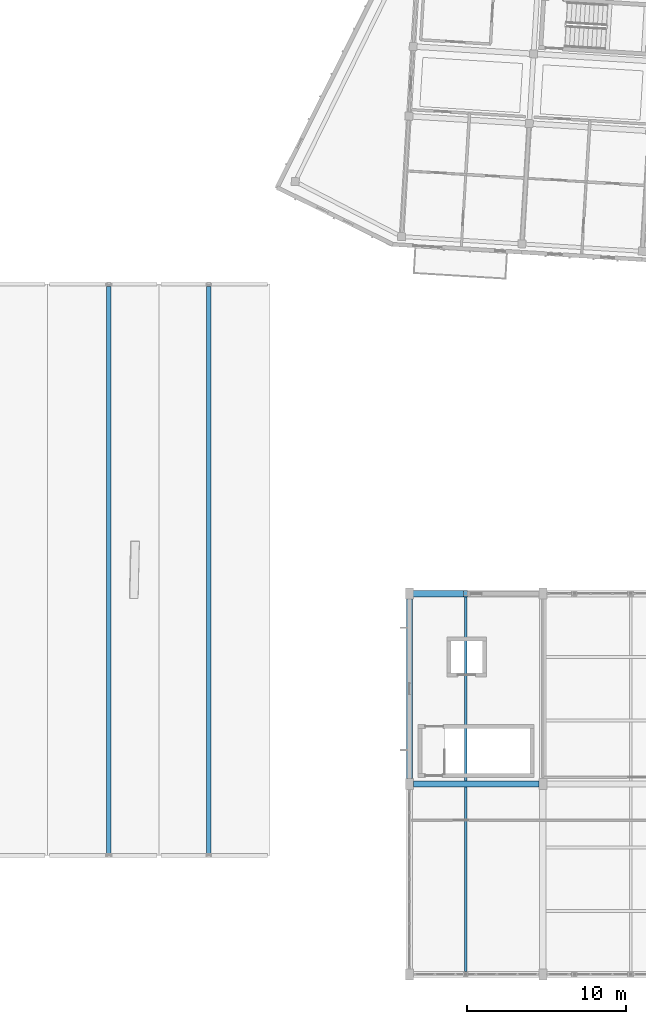
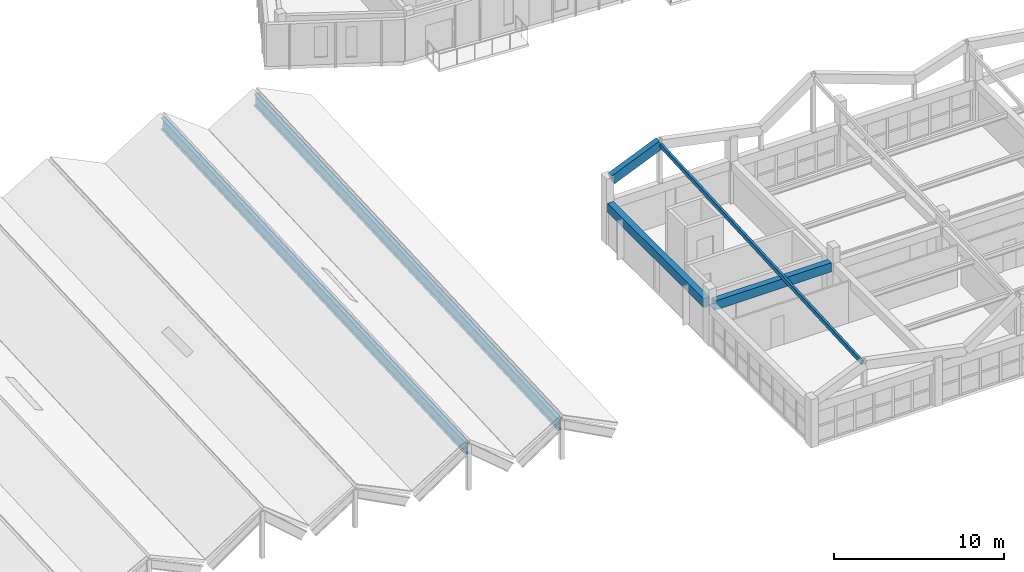
# One storey, part 10 of 127: 5 beams, 1 member.
"""IFC4 building model written with IfcOpenShell, lengths in metres."""

from ifc_helpers import new_model, si_unit, direction, frame, origin, origin_2d, place, context, subcontext, project, spatial, rectangle, hollow_rectangle, i_section, extrude, material, material_profile, profile_set, type_object, element, save


model = new_model("IFC4")

# Units and contexts
model_context = context("Model", 3, precision=1e-05, world=origin(), true_north=direction((0.0, 1.0)))
body_context = subcontext(model_context, "Body", "Model", "MODEL_VIEW")
ifc_project = project(units=[si_unit("LENGTHUNIT", "METRE"), si_unit("AREAUNIT", "SQUARE_METRE"), si_unit("VOLUMEUNIT", "CUBIC_METRE"), si_unit("PLANEANGLEUNIT", "RADIAN"), si_unit("MASSUNIT", "GRAM", prefix="KILO")], contexts=[model_context])

# Site, building, storey
site_placement = place(None, origin())
site = spatial("IfcSite", under=ifc_project, at=site_placement, CompositionType="ELEMENT")
building_placement = place(site_placement, origin())
building = spatial("IfcBuilding", under=site, at=building_placement, Name="Kestramere Prow Commons", CompositionType="ELEMENT")
storey_placement = place(building_placement, frame((0.0, 0.0, 8.39990234375)))
storey = spatial("IfcBuildingStorey", under=building, at=storey_placement, Name="L02", CompositionType="ELEMENT", Elevation=8.39990234375)

# Beams
ifc_material_1 = material(Name="Steel S355JR", Category="steel")
ifc_material_profile_1 = material_profile(ifc_material_1, i_section(OverallWidth=0.293701171875, OverallDepth=0.850830078125, WebThickness=0.01611328125, FlangeThickness=0.02685546875, FilletRadius=0.017822265625, at=origin_2d()), Name="UB 838x292x226")
ifc_profile_set_1 = profile_set([ifc_material_profile_1], Name="Steel S355JR")
beam_type_1 = type_object("IfcBeamType", Name="BM-FP-RDG UB 838x292x226", PredefinedType="BEAM", material=ifc_profile_set_1)
for number, where, z_axis, x_axis, name in (
    (1, (41.050048828125, 7.614501953125, 1.727294921875), (0.0, 0.99895112022, 0.045789293625), (-1.0, 0.0, 0.0), "Hall Folded-Plate Ridge Chord 6"),
    (2, (47.35009765625, 7.614501953125, 1.227294921875), (0.0, 0.99895112022, 0.045789293625), (-1.0, 0.0, 0.0), "Hall Folded-Plate Ridge Chord 7"),
):
    element("IfcBeam", number, at=place(storey_placement, frame(where, z_axis=z_axis, x_axis=x_axis)), inside=storey, type_object=beam_type_1, Name=name, PredefinedType="BEAM", context=body_context, shape_type="SweptSolid", body=[
        extrude(i_section(OverallWidth=0.293701171875, OverallDepth=0.850830078125, WebThickness=0.01611328125, FlangeThickness=0.02685546875, FilletRadius=0.017822265625, at=origin_2d()), origin(), (0.0, 0.0, 1.0), 35.80859375),
    ])
ifc_material_2 = material(Name="Precast concrete C40/50", Category="concrete")
ifc_material_profile_2 = material_profile(ifc_material_2, rectangle(XDim=0.39990234375, YDim=0.64990234375, at=origin_2d()), Name="PC-BM 400x650")
ifc_profile_set_2 = profile_set([ifc_material_profile_2], Name="Precast concrete C40/50")
beam_type_2 = type_object("IfcBeamType", Name="BM-MK-01 PC-BM 400x650", PredefinedType="BEAM", material=ifc_profile_set_2)
beam_1_placement = place(storey_placement, frame((60.25, 12.0, 2.675048828125), z_axis=(1.0, 0.0, 0.0), x_axis=(0.0, 1.0, 0.0)))
element("IfcBeam", 3, at=beam_1_placement, inside=storey, type_object=beam_type_2, Name="Market Spine L02 Beam X 2-1", PredefinedType="BEAM", context=body_context, shape_type="SweptSolid", body=[
    extrude(rectangle(XDim=0.39990234375, YDim=0.64990234375, at=origin_2d()), origin(), (0.0, 0.0, 1.0), 7.89990234375),
])
ifc_material_profile_3 = material_profile(ifc_material_2, rectangle(XDim=0.39990234375, YDim=0.64990234375, at=origin_2d()), Name="PC-BM 400x650")
ifc_profile_set_3 = profile_set([ifc_material_profile_3], Name="Precast concrete C40/50")
beam_type_3 = type_object("IfcBeamType", Name="BM-MK-01 PC-BM 400x650 (EX)", PredefinedType="BEAM", material=ifc_profile_set_3)
beam_2_placement = place(storey_placement, frame((60.0, 12.35009765625, 2.675048828125), z_axis=(0.0, 1.0, 0.0), x_axis=(-1.0, 0.0, 0.0)))
element("IfcBeam", 4, at=beam_2_placement, inside=storey, type_object=beam_type_3, Name="Market Spine L02 Beam Y 1-2", PredefinedType="BEAM", context=body_context, shape_type="SweptSolid", body=[
    extrude(rectangle(XDim=0.39990234375, YDim=0.64990234375, at=origin_2d()), origin(), (0.0, 0.0, 1.0), 11.2998046875),
])
beam_3_placement = place(storey_placement, frame((60.25, 24.0, 4.39501953125), z_axis=(0.919963273648, 0.0, 0.392004560099), x_axis=(0.0, 1.0, 0.0)))
element("IfcBeam", 5, at=beam_3_placement, inside=storey, type_object=beam_type_3, Name="Market Folded Rafter 1L-24", PredefinedType="BEAM", context=body_context, shape_type="SweptSolid", body=[
    extrude(rectangle(XDim=0.39990234375, YDim=0.64990234375, at=origin_2d()), origin(), (0.0, 0.0, 1.0), 3.57177734375),
])

# Member
ifc_material_profile_4 = material_profile(ifc_material_1, hollow_rectangle(XDim=0.14990234375, YDim=0.300048828125, WallThickness=0.012451171875, at=origin_2d()), Name="RHS 300x150x12.5")
ifc_profile_set_4 = profile_set([ifc_material_profile_4], Name="Steel S355JR")
member_type = type_object("IfcMemberType", Name="PUR-MK-01 RHS 300x150x12.5", PredefinedType="PURLIN", material=ifc_profile_set_4)
member_placement = place(storey_placement, frame((63.535888671875, 0.199951171875, 4.49560546875), z_axis=(0.0, 0.998646785341, 0.052005750909), x_axis=(-1.0, 0.0, 0.0)))
element("IfcMember", 6, at=member_placement, inside=storey, type_object=member_type, Name="Market Folded-Roof Ridge Purlin 1", PredefinedType="PURLIN", context=body_context, shape_type="SweptSolid", body=[
    extrude(hollow_rectangle(XDim=0.14990234375, YDim=0.300048828125, WallThickness=0.012451171875, at=origin_2d()), origin(), (0.0, 0.0, 1.0), 23.632080078125),
])

save(model, "model.ifc")
